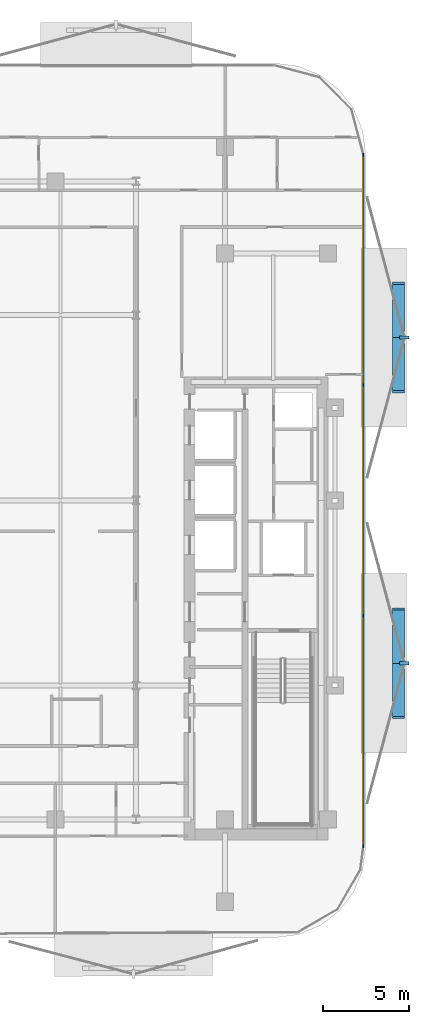
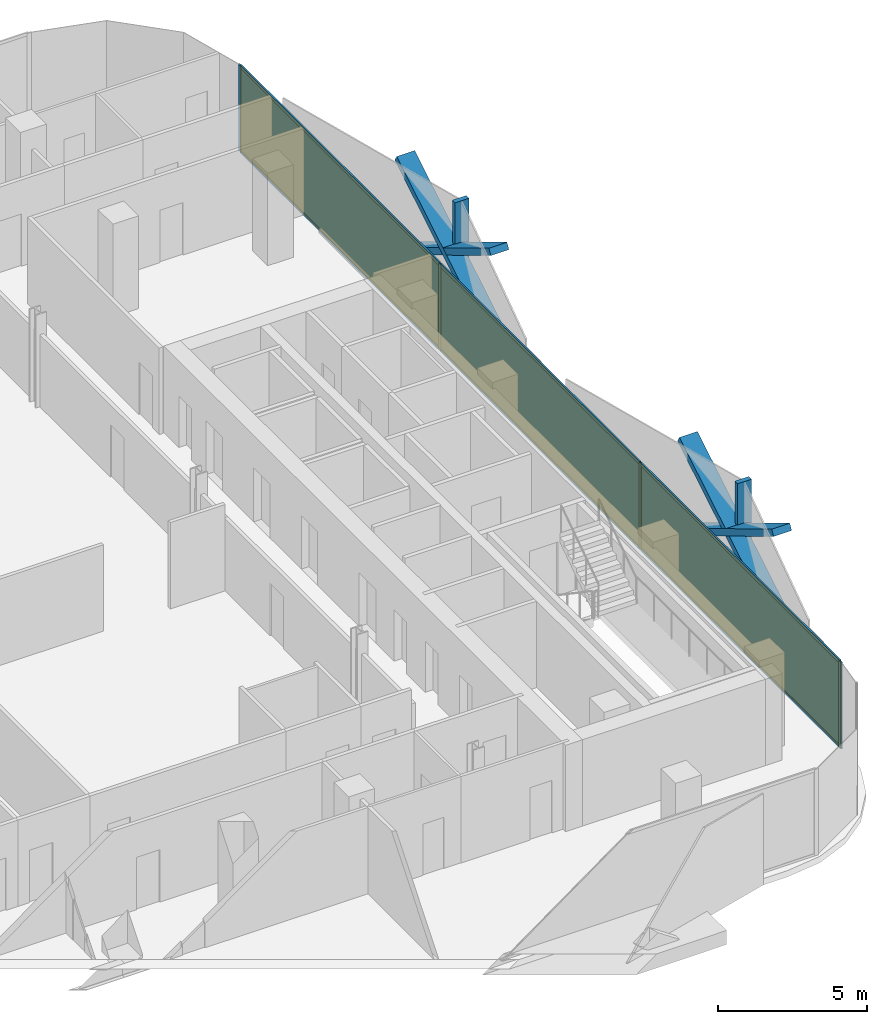
# One storey, part 11 of 17: 16 members, 3 plates, 1 curtain wall.
"""IFC4 building model written with IfcOpenShell, lengths in metres."""

from ifc_helpers import new_model, si_unit, direction, frame, frame_2d, origin, origin_2d, place, context, subcontext, project, spatial, rectangle, extrude, material, layer, layer_set, material_profile, profile_set, type_object, element, aggregate, save


model = new_model("IFC4")

# Units and contexts
model_context = context("Model", 3, precision=1e-05, world=origin(), true_north=direction((0.0, 1.0)))
body_context = subcontext(model_context, "Body", "Model", "MODEL_VIEW")
ifc_project = project(units=[si_unit("LENGTHUNIT", "METRE"), si_unit("AREAUNIT", "SQUARE_METRE"), si_unit("VOLUMEUNIT", "CUBIC_METRE"), si_unit("PLANEANGLEUNIT", "RADIAN"), si_unit("MASSUNIT", "GRAM", prefix="KILO")], contexts=[model_context])

# Member
ifc_material_1 = material(Name="Anodised Bronze Aluminium 6063-T6", Category="aluminium")
ifc_material_profile_1 = material_profile(ifc_material_1, rectangle(XDim=0.260009765625, YDim=0.699951171875, at=origin_2d()))
ifc_profile_set_1 = profile_set([ifc_material_profile_1], Name="Anodised Bronze Aluminium 6063-T6")
member_type_1 = type_object("IfcMemberType", Name="Bronze Diamond Solar-Screen Lattice Rib BDL-700", PredefinedType="MULLION", material=ifc_profile_set_1)
site_placement = place(None, origin())
building_placement = place(site_placement, origin())
storey_placement = place(building_placement, frame((0.0, 0.0, 199.199951171875)))
member_1_placement = place(storey_placement, frame((24.5, 12.660400390625, -0.1298828125), z_axis=(0.0, -0.85737327611, 0.514695118893), x_axis=(0.0, -0.514695118893, -0.85737327611)))
member_1 = element("IfcMember", 1, at=member_1_placement, type_object=member_type_1, Name="L46 Bronze Diamond Solar Screen Lattice Rib 311A", PredefinedType="MULLION", context=body_context, shape_type="SweptSolid", body=[
    extrude(rectangle(XDim=0.260009765625, YDim=0.699951171875, at=origin_2d()), origin(), (0.0, 0.0, 1.0), 7.383056640625),
])

member_2_placement = place(storey_placement, frame((24.5, 6.330322265625, -0.1298828125), z_axis=(0.0, 0.85737327611, 0.514695118893), x_axis=(0.0, 0.514695118893, -0.85737327611)))
member_2 = element("IfcMember", 2, at=member_2_placement, type_object=member_type_1, Name="L46 Bronze Diamond Solar Screen Lattice Rib 311B", PredefinedType="MULLION", context=body_context, shape_type="SweptSolid", body=[
    extrude(rectangle(XDim=0.260009765625, YDim=0.699951171875, at=origin_2d()), origin(), (0.0, 0.0, 1.0), 7.383056640625),
])

member_3_placement = place(storey_placement, frame((24.5, -6.330322265625, -0.1298828125), z_axis=(0.0, -0.85737327611, 0.514695118893), x_axis=(0.0, -0.514695118893, -0.85737327611)))
member_3 = element("IfcMember", 3, at=member_3_placement, type_object=member_type_1, Name="L46 Bronze Diamond Solar Screen Lattice Rib 312A", PredefinedType="MULLION", context=body_context, shape_type="SweptSolid", body=[
    extrude(rectangle(XDim=0.260009765625, YDim=0.699951171875, at=origin_2d()), origin(), (0.0, 0.0, 1.0), 7.383056640625),
])

member_4_placement = place(storey_placement, frame((24.5, -12.660400390625, -0.1298828125), z_axis=(0.0, 0.85737327611, 0.514695118893), x_axis=(0.0, 0.514695118893, -0.85737327611)))
member_4 = element("IfcMember", 4, at=member_4_placement, type_object=member_type_1, Name="L46 Bronze Diamond Solar Screen Lattice Rib 312B", PredefinedType="MULLION", context=body_context, shape_type="SweptSolid", body=[
    extrude(rectangle(XDim=0.260009765625, YDim=0.699951171875, at=origin_2d()), origin(), (0.0, 0.0, 1.0), 7.383056640625),
])

ifc_material_2 = material(Name="Anodised Bronze Aluminium 6063-T6", Category="aluminium")
ifc_material_profile_2 = material_profile(ifc_material_2, rectangle(XDim=0.179931640625, YDim=0.5400390625, at=origin_2d()))
ifc_profile_set_2 = profile_set([ifc_material_profile_2], Name="Anodised Bronze Aluminium 6063-T6")
member_type_2 = type_object("IfcMemberType", Name="Bronze Solar-Screen Vertical Fold Fin BSF-540", PredefinedType="MULLION", material=ifc_profile_set_2)
member_5_placement = place(storey_placement, frame((24.840087890625, 9.495361328125, -0.1298828125), z_axis=(0.0, 0.0, 1.0), x_axis=(0.0, -1.0, 0.0)))
member_5 = element("IfcMember", 5, at=member_5_placement, type_object=member_type_2, Name="L46 Bronze Solar Screen Vertical Fin 311", PredefinedType="MULLION", context=body_context, shape_type="SweptSolid", body=[
    extrude(rectangle(XDim=0.179931640625, YDim=0.5400390625, at=origin_2d()), origin(), (0.0, 0.0, 1.0), 3.800048828125),
])

member_6_placement = place(storey_placement, frame((24.840087890625, -9.495361328125, -0.1298828125), z_axis=(0.0, 0.0, 1.0), x_axis=(0.0, -1.0, 0.0)))
member_6 = element("IfcMember", 6, at=member_6_placement, type_object=member_type_2, Name="L46 Bronze Solar Screen Vertical Fin 312", PredefinedType="MULLION", context=body_context, shape_type="SweptSolid", body=[
    extrude(rectangle(XDim=0.179931640625, YDim=0.5400390625, at=origin_2d()), origin(), (0.0, 0.0, 1.0), 3.800048828125),
])

ifc_material_3 = material(Name="Anodised Bronze Aluminium 6063-T6", Category="aluminium")
ifc_material_profile_3 = material_profile(ifc_material_3, rectangle(XDim=0.06005859375, YDim=0.1650390625, at=origin_2d()))
ifc_profile_set_3 = profile_set([ifc_material_profile_3], Name="Anodised Bronze Aluminium 6063-T6")
member_type_3 = type_object("IfcMemberType", Name="CW-Z3 Mullion 60x165", PredefinedType="MULLION", material=ifc_profile_set_3)
member_7_placement = place(storey_placement, frame((22.4599609375, 20.160888671875, 0.0), z_axis=(0.0, 0.0, 1.0), x_axis=(1.0, 0.0, 0.0)))
member_7 = element("IfcMember", 7, at=member_7_placement, type_object=member_type_3, Name="CW-Z3 mullion 1", PredefinedType="MULLION", context=body_context, shape_type="SweptSolid", body=[
    extrude(rectangle(XDim=0.06005859375, YDim=0.1650390625, at=origin_2d()), origin(), (0.0, 0.0, 1.0), 3.5400390625),
])

member_8_placement = place(storey_placement, frame((22.4599609375, 6.730224609375, 0.0), z_axis=(0.0, 0.0, 1.0), x_axis=(1.0, 0.0, 0.0)))
member_8 = element("IfcMember", 8, at=member_8_placement, type_object=member_type_3, Name="CW-Z3 mullion 2", PredefinedType="MULLION", context=body_context, shape_type="SweptSolid", body=[
    extrude(rectangle(XDim=0.06005859375, YDim=0.1650390625, at=origin_2d()), origin(), (0.0, 0.0, 1.0), 3.5400390625),
])

member_9_placement = place(storey_placement, frame((22.4599609375, -6.730224609375, 0.0), z_axis=(0.0, 0.0, 1.0), x_axis=(1.0, 0.0, 0.0)))
member_9 = element("IfcMember", 9, at=member_9_placement, type_object=member_type_3, Name="CW-Z3 mullion 3", PredefinedType="MULLION", context=body_context, shape_type="SweptSolid", body=[
    extrude(rectangle(XDim=0.06005859375, YDim=0.1650390625, at=origin_2d()), origin(), (0.0, 0.0, 1.0), 3.5400390625),
])

member_10_placement = place(storey_placement, frame((22.4599609375, -20.160888671875, 0.0), z_axis=(0.0, 0.0, 1.0), x_axis=(1.0, 0.0, 0.0)))
member_10 = element("IfcMember", 10, at=member_10_placement, type_object=member_type_3, Name="CW-Z3 mullion 4", PredefinedType="MULLION", context=body_context, shape_type="SweptSolid", body=[
    extrude(rectangle(XDim=0.06005859375, YDim=0.1650390625, at=origin_2d()), origin(), (0.0, 0.0, 1.0), 3.5400390625),
])

ifc_material_4 = material(Name="Anodised Bronze Aluminium 6063-T6", Category="aluminium")
ifc_material_profile_4 = material_profile(ifc_material_4, rectangle(XDim=0.06005859375, YDim=0.1298828125, at=origin_2d()))
ifc_profile_set_4 = profile_set([ifc_material_profile_4], Name="Anodised Bronze Aluminium 6063-T6")
member_type_4 = type_object("IfcMemberType", Name="CW-Z3 Transom 60x130", PredefinedType="USERDEFINED", material=ifc_profile_set_4)
member_11_placement = place(storey_placement, frame((22.4599609375, 20.130859375, 0.030029296875), z_axis=(0.0, -1.0, 0.0), x_axis=(1.0, 0.0, 0.0)))
member_11 = element("IfcMember", 11, at=member_11_placement, type_object=member_type_4, Name="CW-Z3 transom 1.1", ObjectType="TRANSOM", PredefinedType="USERDEFINED", context=body_context, shape_type="SweptSolid", body=[
    extrude(rectangle(XDim=0.06005859375, YDim=0.1298828125, at=origin_2d()), origin(), (0.0, 0.0, 1.0), 13.37060546875),
])

member_12_placement = place(storey_placement, frame((22.4599609375, 20.130859375, 3.510009765625), z_axis=(0.0, -1.0, 0.0), x_axis=(1.0, 0.0, 0.0)))
member_12 = element("IfcMember", 12, at=member_12_placement, type_object=member_type_4, Name="CW-Z3 transom 1.2", ObjectType="TRANSOM", PredefinedType="USERDEFINED", context=body_context, shape_type="SweptSolid", body=[
    extrude(rectangle(XDim=0.06005859375, YDim=0.1298828125, at=origin_2d()), origin(), (0.0, 0.0, 1.0), 13.37060546875),
])

member_13_placement = place(storey_placement, frame((22.4599609375, 6.7001953125, 0.030029296875), z_axis=(0.0, -1.0, 0.0), x_axis=(1.0, 0.0, 0.0)))
member_13 = element("IfcMember", 13, at=member_13_placement, type_object=member_type_4, Name="CW-Z3 transom 2.1", ObjectType="TRANSOM", PredefinedType="USERDEFINED", context=body_context, shape_type="SweptSolid", body=[
    extrude(rectangle(XDim=0.06005859375, YDim=0.1298828125, at=origin_2d()), origin(), (0.0, 0.0, 1.0), 13.400390625),
])

member_14_placement = place(storey_placement, frame((22.4599609375, 6.7001953125, 3.510009765625), z_axis=(0.0, -1.0, 0.0), x_axis=(1.0, 0.0, 0.0)))
member_14 = element("IfcMember", 14, at=member_14_placement, type_object=member_type_4, Name="CW-Z3 transom 2.2", ObjectType="TRANSOM", PredefinedType="USERDEFINED", context=body_context, shape_type="SweptSolid", body=[
    extrude(rectangle(XDim=0.06005859375, YDim=0.1298828125, at=origin_2d()), origin(), (0.0, 0.0, 1.0), 13.400390625),
])

member_15_placement = place(storey_placement, frame((22.4599609375, -6.76025390625, 0.030029296875), z_axis=(0.0, -1.0, 0.0), x_axis=(1.0, 0.0, 0.0)))
member_15 = element("IfcMember", 15, at=member_15_placement, type_object=member_type_4, Name="CW-Z3 transom 3.1", ObjectType="TRANSOM", PredefinedType="USERDEFINED", context=body_context, shape_type="SweptSolid", body=[
    extrude(rectangle(XDim=0.06005859375, YDim=0.1298828125, at=origin_2d()), origin(), (0.0, 0.0, 1.0), 13.37060546875),
])

member_16_placement = place(storey_placement, frame((22.4599609375, -6.76025390625, 3.510009765625), z_axis=(0.0, -1.0, 0.0), x_axis=(1.0, 0.0, 0.0)))
member_16 = element("IfcMember", 16, at=member_16_placement, type_object=member_type_4, Name="CW-Z3 transom 3.2", ObjectType="TRANSOM", PredefinedType="USERDEFINED", context=body_context, shape_type="SweptSolid", body=[
    extrude(rectangle(XDim=0.06005859375, YDim=0.1298828125, at=origin_2d()), origin(), (0.0, 0.0, 1.0), 13.37060546875),
])

# Plate
ifc_material_5 = material(Name="Low-E Solar Control Laminated Glass", Category="glass")
ifc_layer_1 = layer(ifc_material_5, 0.030029296875, Name="Low-E Solar Control Laminated Glass")
ifc_layer_set_1 = layer_set([ifc_layer_1], Name="Low-E Solar Control Laminated Glass")
plate_type = type_object("IfcPlateType", Name="CW-Z3 Low-E Double Glazed Panel 30mm", PredefinedType="CURTAIN_PANEL", material=ifc_layer_set_1)
plate_1_placement = place(storey_placement, frame((22.4599609375, 13.445556640625, 0.06005859375), z_axis=(0.0, 0.0, 1.0), x_axis=(0.0, -1.0, 0.0)))
plate_1 = element("IfcPlate", 17, at=plate_1_placement, type_object=plate_type, Name="CW-Z3 panel 1.1", PredefinedType="CURTAIN_PANEL", context=body_context, shape_type="SweptSolid", body=[
    extrude(rectangle(XDim=13.37060546875, YDim=0.030029296875, at=origin_2d()), origin(), (0.0, 0.0, 1.0), 3.419921875),
])

plate_2_placement = place(storey_placement, frame((22.4599609375, 0.0, 0.06005859375), z_axis=(0.0, 0.0, 1.0), x_axis=(0.0, -1.0, 0.0)))
plate_2 = element("IfcPlate", 18, at=plate_2_placement, type_object=plate_type, Name="CW-Z3 panel 2.1", PredefinedType="CURTAIN_PANEL", context=body_context, shape_type="SweptSolid", body=[
    extrude(rectangle(XDim=13.400634765625, YDim=0.030029296875, at=origin_2d()), origin(), (0.0, 0.0, 1.0), 3.419921875),
])

plate_3_placement = place(storey_placement, frame((22.4599609375, -13.445556640625, 0.06005859375), z_axis=(0.0, 0.0, 1.0), x_axis=(0.0, -1.0, 0.0)))
plate_3 = element("IfcPlate", 19, at=plate_3_placement, type_object=plate_type, Name="CW-Z3 panel 3.1", PredefinedType="CURTAIN_PANEL", context=body_context, shape_type="SweptSolid", body=[
    extrude(rectangle(XDim=13.37060546875, YDim=0.030029296875, at=origin_2d()), origin(), (0.0, 0.0, 1.0), 3.419921875),
])

# Site, building, storey
site = spatial("IfcSite", under=ifc_project, at=site_placement, CompositionType="ELEMENT")
building = spatial("IfcBuilding", under=site, at=building_placement, Name="Khairoan Windgate Tower", CompositionType="ELEMENT")
storey = spatial("IfcBuildingStorey", under=building, at=storey_placement, Name="L46", CompositionType="ELEMENT", Elevation=199.199951171875)

# Curtain wall
ifc_material_6 = material(Name="Anodised Bronze Aluminium 6063-T6", Category="aluminium")
ifc_layer_2 = layer(ifc_material_6, 0.1650390625, Name="Anodised Bronze Aluminium 6063-T6")
ifc_layer_set_2 = layer_set([ifc_layer_2], Name="Anodised Bronze Aluminium 6063-T6")
curtain_wall_type = type_object("IfcCurtainWallType", Name="Luxury Hotel Acoustic Curtain Wall CW-Z3", PredefinedType="NOTDEFINED", material=ifc_layer_set_2)
curtain_wall_placement = place(storey_placement, frame((22.4599609375, 20.19091796875, 0.0), z_axis=(0.0, 0.0, 1.0), x_axis=(0.0, -1.0, 0.0)))
curtain_wall = element("IfcCurtainWall", 20, at=curtain_wall_placement, inside=storey, type_object=curtain_wall_type, Name="L46 Unitised Curtain Wall 13", PredefinedType="NOTDEFINED", context=body_context, shape_type="SweptSolid", body=[
    extrude(rectangle(XDim=40.3818359375, YDim=0.010009765625, at=frame_2d((20.19091796875, 0.0))), origin(), (0.0, 0.0, 1.0), 3.5400390625),
])

aggregate(curtain_wall, [member_7, member_8, member_9, member_10, member_11, member_12, plate_1, member_13, member_14, plate_2, member_15, member_16, plate_3, member_1, member_2, member_5, member_3, member_4, member_6])

save(model, "model.ifc")
